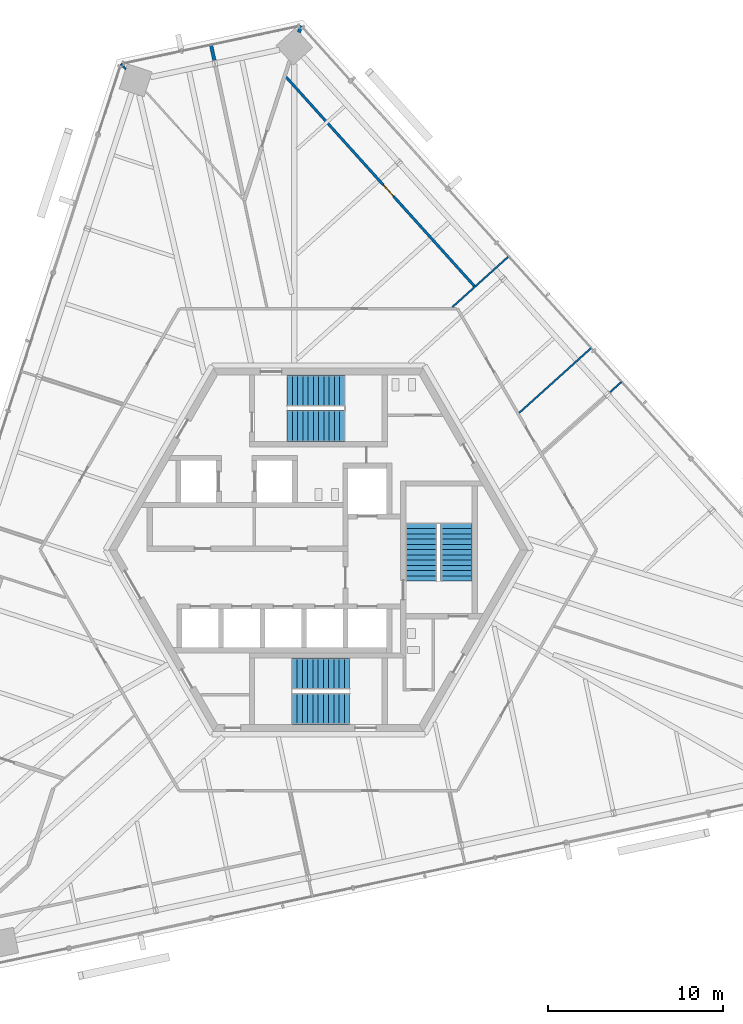
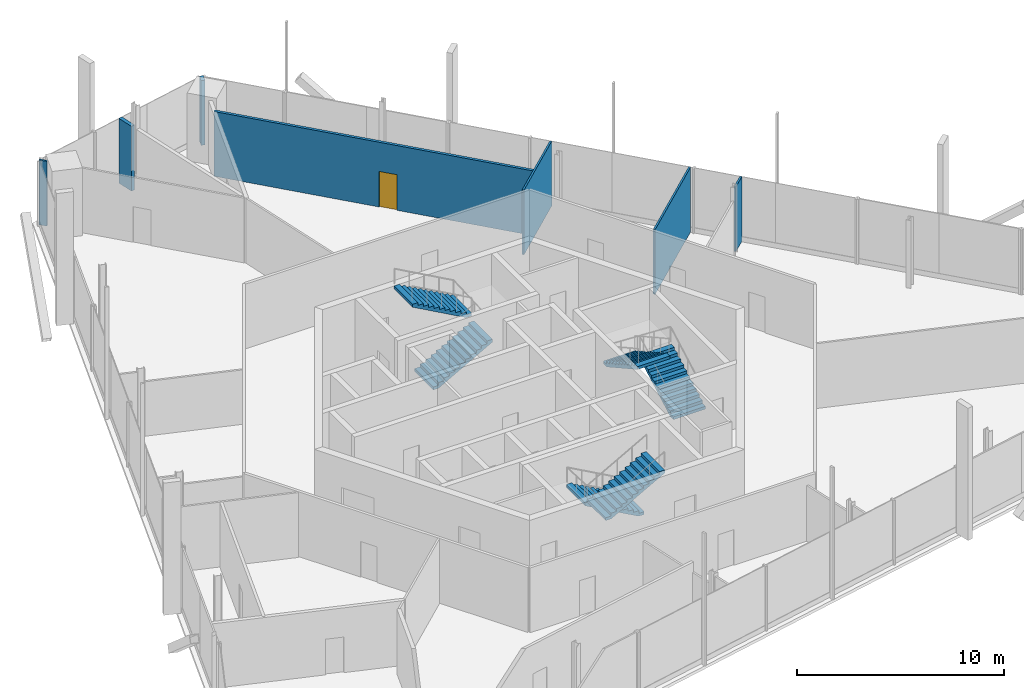
# One storey, part 13 of 17: 7 walls, 6 stair flights, 1 door, 1 opening, 3 elements without a shape of their own.
"""IFC4 building model written with IfcOpenShell, lengths in metres."""

from ifc_helpers import new_model, si_unit, direction, frame, frame_2d, origin, place, context, subcontext, project, spatial, polyline, rectangle, outline, extrude, source, transform, mapped, material, layer, layer_set, type_object, element, fill, aggregate, save


model = new_model("IFC4")

# Units and contexts
model_context = context("Model", 3, precision=1e-05, world=origin(), true_north=direction((0.0, 1.0)))
body_context = subcontext(model_context, "Body", "Model", "MODEL_VIEW")
ifc_project = project(units=[si_unit("LENGTHUNIT", "METRE"), si_unit("AREAUNIT", "SQUARE_METRE"), si_unit("VOLUMEUNIT", "CUBIC_METRE"), si_unit("PLANEANGLEUNIT", "RADIAN"), si_unit("MASSUNIT", "GRAM", prefix="KILO")], contexts=[model_context])

# Site, building, storey
site_placement = place(None, origin())
site = spatial("IfcSite", under=ifc_project, at=site_placement, CompositionType="ELEMENT")
building_placement = place(site_placement, origin())
building = spatial("IfcBuilding", under=site, at=building_placement, Name="Triune Harvest Tower", CompositionType="ELEMENT")
storey_placement = place(building_placement, frame((0.0, 0.0, 288.699951171875)))
storey = spatial("IfcBuildingStorey", under=building, at=storey_placement, Name="L76", CompositionType="ELEMENT", Elevation=288.699951171875)

# Wall, opening, door
ifc_material_1 = material(Name="Gypsum board on steel studs", Category="steel")
ifc_layer_1 = layer(ifc_material_1, 0.14990234375)
ifc_layer_set_1 = layer_set([ifc_layer_1], Name="Gypsum board on steel studs")
wall_type_1 = type_object("IfcWallType", Name="Fire Partition 150 mm", PredefinedType="PARTITIONING", material=ifc_layer_set_1)
wall_1_placement = place(storey_placement, frame((-1.9169921875, 27.131591796875, 0.0), z_axis=(0.0, 0.0, 1.0), x_axis=(0.669125714553, -0.74314923005, 0.0)))
wall_1 = element("IfcWall", 1, at=wall_1_placement, inside=storey, type_object=wall_type_1, Name="Partition L76 012", PredefinedType="PARTITIONING", context=body_context, shape_type="SweptSolid", body=[
    extrude(rectangle(XDim=16.253173828125, YDim=0.14990234375, at=frame_2d((8.12646484375, 0.0))), origin(), (0.0, 0.0, 1.0), 3.820068359375),
])
opening_placement = place(wall_1_placement, frame((8.4033203125, 0.0, 0.0)))
opening = element("IfcOpeningElement", 2, at=opening_placement, cuts=wall_1, Name="Opening L76-003", PredefinedType="OPENING", context=body_context, shape_type="SweptSolid", body=[
    extrude(rectangle(XDim=0.89990234375, YDim=2.10009765625, at=frame_2d((0.449951171875, 1.050048828125))), frame((0.0, 0.0849609375, 0.0), z_axis=(0.0, -1.0, 0.0), x_axis=(1.0, 0.0, 0.0)), (0.0, 0.0, 1.0), 0.169921875),
])
ifc_material_2 = material(Name="Timber and steel door set", Category="steel")
door_type = type_object("IfcDoorType", Name="Single leaf door FD30 right hand 900 x 2100", OperationType="SINGLE_SWING_RIGHT", PredefinedType="DOOR", material=ifc_material_2)
door_placement = place(opening_placement, origin())
door = element("IfcDoor", 3, at=door_placement, inside=storey, type_object=door_type, Name="Door L76-003 Dry Store Room 76.03", OperationType="SINGLE_SWING_RIGHT", OverallHeight=2.10009765625, OverallWidth=0.89990234375, PredefinedType="DOOR", context=body_context, shape_type="SweptSolid", body=[
    extrude(rectangle(XDim=0.89990234375, YDim=2.10009765625, at=frame_2d((0.449951171875, 1.050048828125))), frame((0.0, 0.02490234375, 0.0), z_axis=(0.0, -1.0, 0.0), x_axis=(1.0, 0.0, 0.0)), (0.0, 0.0, 1.0), 0.050048828125),
])
fill(opening, door)

# Walls
ifc_material_3 = material(Name="Gypsum board on steel studs", Category="steel")
ifc_layer_2 = layer(ifc_material_3, 0.10009765625)
ifc_layer_set_2 = layer_set([ifc_layer_2], Name="Gypsum board on steel studs")
wall_type_2 = type_object("IfcWallType", Name="Partition 100 mm", PredefinedType="PARTITIONING", material=ifc_layer_set_2)
wall_2_placement = place(storey_placement, frame((-11.29296875, 27.797119140625, 0.0), z_axis=(0.0, 0.0, 1.0), x_axis=(0.669133675543, -0.74314206196, 0.0)))
element("IfcWall", 4, at=wall_2_placement, inside=storey, type_object=wall_type_2, Name="Partition L76 010", PredefinedType="PARTITIONING", context=body_context, shape_type="SweptSolid", body=[
    extrude(rectangle(XDim=0.399169921875, YDim=0.10009765625, at=frame_2d((0.19970703125, 0.0))), origin(), (0.0, 0.0, 1.0), 3.820068359375),
])
wall_3_placement = place(storey_placement, frame((11.4833984375, 7.83154296875, 0.0), z_axis=(0.0, 0.0, 1.0), x_axis=(0.743158661297, 0.669115239805, 0.0)))
element("IfcWall", 5, at=wall_3_placement, inside=storey, type_object=wall_type_2, Name="Partition L76 027", PredefinedType="PARTITIONING", context=body_context, shape_type="SweptSolid", body=[
    extrude(rectangle(XDim=5.555908203125, YDim=0.10009765625, at=frame_2d((2.77783203125, 0.0))), origin(), (0.0, 0.0, 1.0), 3.820068359375),
])
wall_4_placement = place(storey_placement, frame((7.662353515625, 13.885986328125, 0.0), z_axis=(0.0, 0.0, 1.0), x_axis=(0.743146018173, 0.669129281734, 0.0)))
element("IfcWall", 6, at=wall_4_placement, inside=storey, type_object=wall_type_2, Name="Partition L76 030", PredefinedType="PARTITIONING", context=body_context, shape_type="SweptSolid", body=[
    extrude(rectangle(XDim=4.343994140625, YDim=0.10009765625, at=frame_2d((2.171875, 0.0))), origin(), (0.0, 0.0, 1.0), 3.820068359375),
])
ifc_material_4 = material(Name="Gypsum board on steel studs", Category="steel")
ifc_layer_3 = layer(ifc_material_4, 0.199951171875)
ifc_layer_set_3 = layer_set([ifc_layer_3], Name="Gypsum board on steel studs")
wall_type_3 = type_object("IfcWallType", Name="Fire Wall 200 mm", PredefinedType="PARTITIONING", material=ifc_layer_set_3)
shared_shape_1 = source(origin(), body_context, "Body", "SweptSolid", [
    extrude(rectangle(XDim=0.91552734375, YDim=0.199951171875, at=frame_2d((0.457763671875, 0.0))), origin(), (0.0, 0.0, 1.0), 3.820068359375),
])
wall_5_placement = place(storey_placement, frame((-6.14111328125, 28.89208984375, 0.0), z_axis=(0.0, 0.0, 1.0), x_axis=(0.207743933161, -0.978183243689, 0.0)))
element("IfcWall", 7, at=wall_5_placement, inside=storey, type_object=wall_type_3, Name="Partition L76 003", PredefinedType="PARTITIONING", context=body_context, shape_type="MappedRepresentation", body=[
    mapped(shared_shape_1, transform((0.0, 0.0, 0.0), scale=1.0)),
])
shared_shape_2 = source(origin(), body_context, "Body", "SweptSolid", [
    extrude(rectangle(XDim=0.39892578125, YDim=0.199951171875, at=frame_2d((0.199462890625, 0.0))), origin(), (0.0, 0.0, 1.0), 3.820068359375),
])
wall_6_placement = place(storey_placement, frame((-1.11279296875, 29.607421875, 0.0), z_axis=(0.0, 0.0, 1.0), x_axis=(0.309058395697, 0.951043063194, 0.0)))
element("IfcWall", 8, at=wall_6_placement, inside=storey, type_object=wall_type_3, Name="Partition L76 035", PredefinedType="PARTITIONING", context=body_context, shape_type="MappedRepresentation", body=[
    mapped(shared_shape_2, transform((0.0, 0.0, 0.0), scale=1.0)),
])
shared_shape_3 = source(origin(), body_context, "Body", "SweptSolid", [
    extrude(rectangle(XDim=0.915283203125, YDim=0.10009765625, at=frame_2d((0.45751953125, 0.0))), origin(), (0.0, 0.0, 1.0), 3.820068359375),
])
wall_7_placement = place(storey_placement, frame((16.671875, 9.00439453125, 0.0), z_axis=(0.0, 0.0, 1.0), x_axis=(0.743214552861, 0.669053158139, 0.0)))
element("IfcWall", 9, at=wall_7_placement, inside=storey, type_object=wall_type_2, Name="Partition L76 025", PredefinedType="PARTITIONING", context=body_context, shape_type="MappedRepresentation", body=[
    mapped(shared_shape_3, transform((0.0, 0.0, 0.0), scale=1.0)),
])

# Stair, stair flights
ifc_material_5 = material(Name="Concrete 40 MPa", Category="concrete")
stair_type = type_object("IfcStairType", Name="Exit stair 1800 half turn", PredefinedType="HALF_TURN_STAIR", material=ifc_material_5)
stair_1_placement = place(storey_placement, origin())
stair_1 = element("IfcStair", 10, at=stair_1_placement, inside=storey, type_object=stair_type, Name="Exit stair north", PredefinedType="HALF_TURN_STAIR")
ifc_material_6 = material(Name="Concrete 40 MPa", Category="concrete")
stair_flight_type = type_object("IfcStairFlightType", Name="Stair flight 1800", PredefinedType="STRAIGHT", material=ifc_material_6)
shared_shape_4 = source(origin(), body_context, "Body", "SweptSolid", [
    extrude(outline(polyline([(0.0, 0.0), (0.0, 0.166748046875), (0.300048828125, 0.166748046875), (0.300048828125, 0.333251953125), (0.60009765625, 0.333251953125), (0.60009765625, 0.5), (0.89990234375, 0.5), (0.89990234375, 0.666748046875), (1.199951171875, 0.666748046875), (1.199951171875, 0.833251953125), (1.5, 0.833251953125), (1.5, 1.0), (1.800048828125, 1.0), (1.800048828125, 1.166748046875), (2.10009765625, 1.166748046875), (2.10009765625, 1.333251953125), (2.39990234375, 1.333251953125), (2.39990234375, 1.5), (2.699951171875, 1.5), (2.699951171875, 1.666748046875), (3.0, 1.666748046875), (3.0, 1.833251953125), (3.300048828125, 1.833251953125), (3.300048828125, 2.0), (3.300048828125, 1.661865234375), (0.30859375, 0.0), (0.0, 0.0)])), frame((0.0, 0.89990234375, 0.0), z_axis=(0.0, -1.0, 0.0), x_axis=(1.0, 0.0, 0.0)), (0.0, 0.0, 1.0), 1.800048828125),
])
stair_flight_1_placement = place(storey_placement, frame((-1.7900390625, 7.090087890625, 0.0), z_axis=(0.0, 0.0, 1.0), x_axis=(1.0, 0.0, 0.0)))
stair_flight_1 = element("IfcStairFlight", 11, at=stair_flight_1_placement, type_object=stair_flight_type, Name="ST-1 flight 1", NumberOfRisers=12, NumberOfTreads=11, PredefinedType="STRAIGHT", RiserHeight=0.16667, TreadLength=0.3, context=body_context, shape_type="MappedRepresentation", body=[
    mapped(shared_shape_4, transform((0.0, 0.0, 0.0), scale=1.0)),
])
stair_flight_2_placement = place(storey_placement, frame((1.510009765625, 9.090087890625, 2.0), z_axis=(0.0, 0.0, 1.0), x_axis=(-1.0, 0.0, 0.0)))
stair_flight_2 = element("IfcStairFlight", 12, at=stair_flight_2_placement, type_object=stair_flight_type, Name="ST-1 flight 2", NumberOfRisers=12, NumberOfTreads=11, PredefinedType="STRAIGHT", RiserHeight=0.16667, TreadLength=0.3, context=body_context, shape_type="MappedRepresentation", body=[
    mapped(shared_shape_4, transform((0.0, 0.0, 0.0), scale=1.0)),
])
aggregate(stair_1, [stair_flight_1, stair_flight_2])

stair_2_placement = place(storey_placement, origin())
stair_2 = element("IfcStair", 13, at=stair_2_placement, inside=storey, type_object=stair_type, Name="Exit stair south", PredefinedType="HALF_TURN_STAIR")
stair_flight_3_placement = place(storey_placement, frame((1.7900390625, -7.090087890625, 0.0), z_axis=(0.0, 0.0, 1.0), x_axis=(-1.0, 0.0, 0.0)))
stair_flight_3 = element("IfcStairFlight", 14, at=stair_flight_3_placement, type_object=stair_flight_type, Name="ST-2 flight 1", NumberOfRisers=12, NumberOfTreads=11, PredefinedType="STRAIGHT", RiserHeight=0.16667, TreadLength=0.3, context=body_context, shape_type="MappedRepresentation", body=[
    mapped(shared_shape_4, transform((0.0, 0.0, 0.0), scale=1.0)),
])
stair_flight_4_placement = place(storey_placement, frame((-1.510009765625, -9.090087890625, 2.0), z_axis=(0.0, 0.0, 1.0), x_axis=(1.0, 0.0, 0.0)))
stair_flight_4 = element("IfcStairFlight", 15, at=stair_flight_4_placement, type_object=stair_flight_type, Name="ST-2 flight 2", NumberOfRisers=12, NumberOfTreads=11, PredefinedType="STRAIGHT", RiserHeight=0.16667, TreadLength=0.3, context=body_context, shape_type="MappedRepresentation", body=[
    mapped(shared_shape_4, transform((0.0, 0.0, 0.0), scale=1.0)),
])
aggregate(stair_2, [stair_flight_3, stair_flight_4])

stair_3_placement = place(storey_placement, origin())
stair_3 = element("IfcStair", 16, at=stair_3_placement, inside=storey, type_object=stair_type, Name="Exit stair east", PredefinedType="HALF_TURN_STAIR")
stair_flight_5_placement = place(storey_placement, frame((7.89990234375, -1.7900390625, 0.0), z_axis=(0.0, 0.0, 1.0), x_axis=(0.0, 1.0, 0.0)))
stair_flight_5 = element("IfcStairFlight", 17, at=stair_flight_5_placement, type_object=stair_flight_type, Name="ST-3 flight 1", NumberOfRisers=12, NumberOfTreads=11, PredefinedType="STRAIGHT", RiserHeight=0.16667, TreadLength=0.3, context=body_context, shape_type="MappedRepresentation", body=[
    mapped(shared_shape_4, transform((0.0, 0.0, 0.0), scale=1.0)),
])
stair_flight_6_placement = place(storey_placement, frame((5.89990234375, 1.510009765625, 2.0), z_axis=(0.0, 0.0, 1.0), x_axis=(0.0, -1.0, 0.0)))
stair_flight_6 = element("IfcStairFlight", 18, at=stair_flight_6_placement, type_object=stair_flight_type, Name="ST-3 flight 2", NumberOfRisers=12, NumberOfTreads=11, PredefinedType="STRAIGHT", RiserHeight=0.16667, TreadLength=0.3, context=body_context, shape_type="MappedRepresentation", body=[
    mapped(shared_shape_4, transform((0.0, 0.0, 0.0), scale=1.0)),
])
aggregate(stair_3, [stair_flight_5, stair_flight_6])

save(model, "model.ifc")
